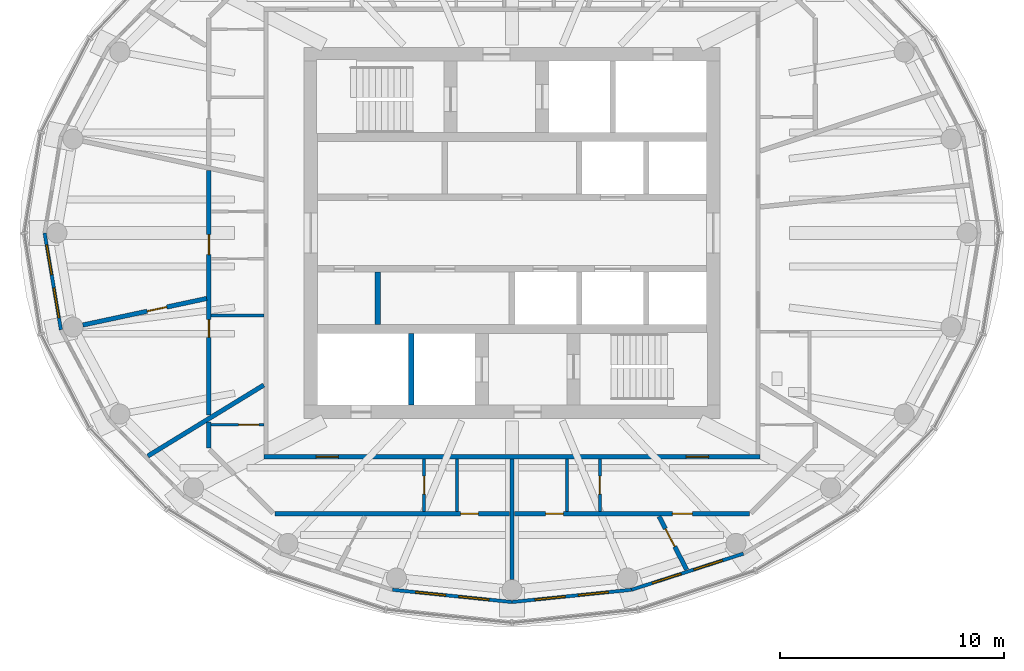
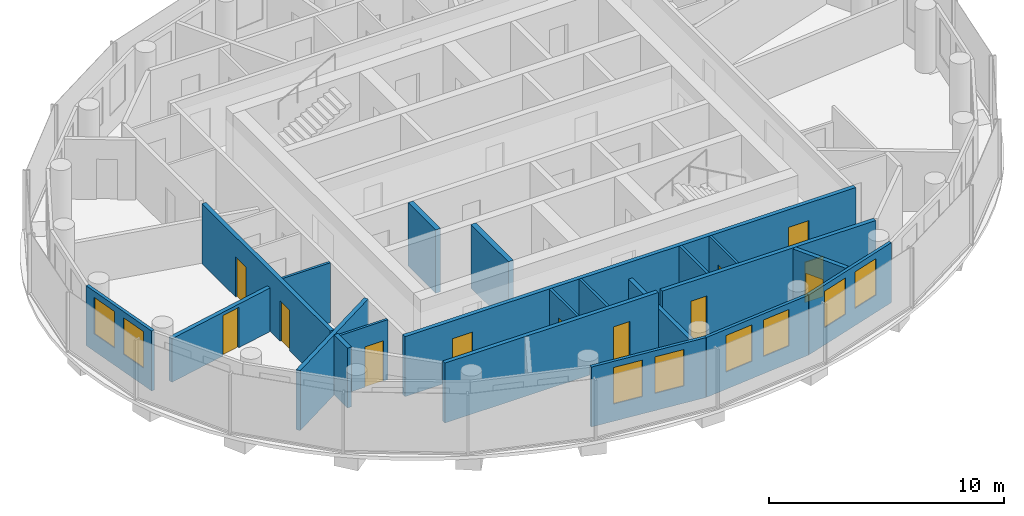
# One storey, part 5 of 11: 21 walls, 12 doors, 8 windows, 20 openings.
"""IFC4 building model written with IfcOpenShell, lengths in metres."""

from ifc_helpers import new_model, si_unit, direction, frame, frame_2d, origin, place, context, subcontext, project, spatial, rectangle, extrude, material, layer, layer_set, type_object, element, fill, save


model = new_model("IFC4")

# Units and contexts
model_context = context("Model", 3, precision=1e-05, world=origin(), true_north=direction((0.0, 1.0)))
body_context = subcontext(model_context, "Body", "Model", "MODEL_VIEW")
ifc_project = project(units=[si_unit("LENGTHUNIT", "METRE"), si_unit("AREAUNIT", "SQUARE_METRE"), si_unit("VOLUMEUNIT", "CUBIC_METRE"), si_unit("PLANEANGLEUNIT", "RADIAN"), si_unit("MASSUNIT", "GRAM", prefix="KILO")], contexts=[model_context])

# Site, building, storey
site_placement = place(None, origin())
site = spatial("IfcSite", under=ifc_project, at=site_placement, CompositionType="ELEMENT")
building_placement = place(site_placement, origin())
building = spatial("IfcBuilding", under=site, at=building_placement, Name="Hankou Lantern Tower", CompositionType="ELEMENT")
storey_placement = place(building_placement, frame((0.0, 0.0, 192.89990234375)))
storey = spatial("IfcBuildingStorey", under=building, at=storey_placement, Name="L51", CompositionType="ELEMENT", Elevation=192.89990234375)

# Wall, openings, windows
ifc_material_1 = material(Name="Aluminium spandrel panel on steel studs", Category="steel")
ifc_layer_1 = layer(ifc_material_1, 0.14990234375)
ifc_layer_set_1 = layer_set([ifc_layer_1], Name="Aluminium spandrel panel on steel studs")
wall_type_1 = type_object("IfcWallType", Name="EW1 INNER SKIN WALL 150", PredefinedType="ELEMENTEDWALL", material=ifc_layer_set_1)
wall_1_placement = place(storey_placement, frame((-20.89990234375, 0.0, 0.0), z_axis=(0.0, 0.0, 1.0), x_axis=(0.166538513568, -0.986034950445, 0.0)))
wall_1 = element("IfcWall", 1, at=wall_1_placement, inside=storey, type_object=wall_type_1, Name="Inner skin R13-R14 L51", PredefinedType="ELEMENTEDWALL", context=body_context, shape_type="SweptSolid", body=[
    extrude(rectangle(XDim=4.384765625, YDim=0.14990234375, at=frame_2d((2.1923828125, 0.0))), origin(), (0.0, 0.0, 1.0), 3.1201171875),
])
opening_1_placement = place(wall_1_placement, frame((0.54248046875, 0.0, 0.89990234375)))
opening_1 = element("IfcOpeningElement", 2, at=opening_1_placement, cuts=wall_1, Name="Opening W4", PredefinedType="OPENING", context=body_context, shape_type="SweptSolid", body=[
    extrude(rectangle(XDim=1.35009765625, YDim=1.89990234375, at=frame_2d((0.675048828125, 0.949951171875))), frame((0.0, 0.0849609375, 0.0), z_axis=(0.0, -1.0, 0.0), x_axis=(1.0, 0.0, 0.0)), (0.0, 0.0, 1.0), 0.169921875),
])
opening_2_placement = place(wall_1_placement, frame((2.492431640625, 0.0, 0.89990234375)))
opening_2 = element("IfcOpeningElement", 3, at=opening_2_placement, cuts=wall_1, Name="Opening W4", PredefinedType="OPENING", context=body_context, shape_type="SweptSolid", body=[
    extrude(rectangle(XDim=1.35009765625, YDim=1.89990234375, at=frame_2d((0.675048828125, 0.949951171875))), frame((0.0, 0.0849609375, 0.0), z_axis=(0.0, -1.0, 0.0), x_axis=(1.0, 0.0, 0.0)), (0.0, 0.0, 1.0), 0.169921875),
])
ifc_material_2 = material(Name="Aluminium framed double glazed window", Category="aluminium")
window_type = type_object("IfcWindowType", Name="W4 SUITE WINDOW 1350X1900", PartitioningType="DOUBLE_PANEL_VERTICAL", PredefinedType="WINDOW", material=ifc_material_2)
window_1_placement = place(opening_1_placement, origin())
window_1 = element("IfcWindow", 4, at=window_1_placement, inside=storey, type_object=window_type, Name="Window R13.1 L51", OverallHeight=1.89990234375, OverallWidth=1.35009765625, PartitioningType="SINGLE_PANEL", PredefinedType="WINDOW", context=body_context, shape_type="SweptSolid", body=[
    extrude(rectangle(XDim=1.35009765625, YDim=1.89990234375, at=frame_2d((0.675048828125, 0.949951171875))), frame((0.0, 0.030029296875, 0.0), z_axis=(0.0, -1.0, 0.0), x_axis=(1.0, 0.0, 0.0)), (0.0, 0.0, 1.0), 0.06005859375),
])
fill(opening_1, window_1)
window_2_placement = place(opening_2_placement, origin())
window_2 = element("IfcWindow", 5, at=window_2_placement, inside=storey, type_object=window_type, Name="Window R13.2 L51", OverallHeight=1.89990234375, OverallWidth=1.35009765625, PartitioningType="SINGLE_PANEL", PredefinedType="WINDOW", context=body_context, shape_type="SweptSolid", body=[
    extrude(rectangle(XDim=1.35009765625, YDim=1.89990234375, at=frame_2d((0.675048828125, 0.949951171875))), frame((0.0, 0.030029296875, 0.0), z_axis=(0.0, -1.0, 0.0), x_axis=(1.0, 0.0, 0.0)), (0.0, 0.0, 1.0), 0.06005859375),
])
fill(opening_2, window_2)

wall_2_placement = place(storey_placement, frame((-5.3427734375, -15.95166015625, 0.0), z_axis=(0.0, 0.0, 1.0), x_axis=(0.994774574972, -0.102095763818, 0.0)))
wall_2 = element("IfcWall", 6, at=wall_2_placement, inside=storey, type_object=wall_type_1, Name="Inner skin R18-R19 L51", PredefinedType="ELEMENTEDWALL", context=body_context, shape_type="SweptSolid", body=[
    extrude(rectangle(XDim=5.370849609375, YDim=0.14990234375, at=frame_2d((2.685546875, 0.0))), origin(), (0.0, 0.0, 1.0), 3.1201171875),
])
opening_3_placement = place(wall_2_placement, frame((1.035400390625, 0.0, 0.89990234375)))
opening_3 = element("IfcOpeningElement", 7, at=opening_3_placement, cuts=wall_2, Name="Opening W4", PredefinedType="OPENING", context=body_context, shape_type="SweptSolid", body=[
    extrude(rectangle(XDim=1.35009765625, YDim=1.89990234375, at=frame_2d((0.675048828125, 0.949951171875))), frame((0.0, 0.0849609375, 0.0), z_axis=(0.0, -1.0, 0.0), x_axis=(1.0, 0.0, 0.0)), (0.0, 0.0, 1.0), 0.169921875),
])
opening_4_placement = place(wall_2_placement, frame((2.9853515625, 0.0, 0.89990234375)))
opening_4 = element("IfcOpeningElement", 8, at=opening_4_placement, cuts=wall_2, Name="Opening W4", PredefinedType="OPENING", context=body_context, shape_type="SweptSolid", body=[
    extrude(rectangle(XDim=1.35009765625, YDim=1.89990234375, at=frame_2d((0.675048828125, 0.949951171875))), frame((0.0, 0.0849609375, 0.0), z_axis=(0.0, -1.0, 0.0), x_axis=(1.0, 0.0, 0.0)), (0.0, 0.0, 1.0), 0.169921875),
])
window_3_placement = place(opening_3_placement, origin())
window_3 = element("IfcWindow", 9, at=window_3_placement, inside=storey, type_object=window_type, Name="Window R18.1 L51", OverallHeight=1.89990234375, OverallWidth=1.35009765625, PartitioningType="SINGLE_PANEL", PredefinedType="WINDOW", context=body_context, shape_type="SweptSolid", body=[
    extrude(rectangle(XDim=1.35009765625, YDim=1.89990234375, at=frame_2d((0.675048828125, 0.949951171875))), frame((0.0, 0.030029296875, 0.0), z_axis=(0.0, -1.0, 0.0), x_axis=(1.0, 0.0, 0.0)), (0.0, 0.0, 1.0), 0.06005859375),
])
fill(opening_3, window_3)
window_4_placement = place(opening_4_placement, origin())
window_4 = element("IfcWindow", 10, at=window_4_placement, inside=storey, type_object=window_type, Name="Window R18.2 L51", OverallHeight=1.89990234375, OverallWidth=1.35009765625, PartitioningType="SINGLE_PANEL", PredefinedType="WINDOW", context=body_context, shape_type="SweptSolid", body=[
    extrude(rectangle(XDim=1.35009765625, YDim=1.89990234375, at=frame_2d((0.675048828125, 0.949951171875))), frame((0.0, 0.030029296875, 0.0), z_axis=(0.0, -1.0, 0.0), x_axis=(1.0, 0.0, 0.0)), (0.0, 0.0, 1.0), 0.06005859375),
])
fill(opening_4, window_4)

wall_3_placement = place(storey_placement, frame((0.0, -16.5, 0.0), z_axis=(0.0, 0.0, 1.0), x_axis=(0.994774574972, 0.102095763818, 0.0)))
wall_3 = element("IfcWall", 11, at=wall_3_placement, inside=storey, type_object=wall_type_1, Name="Inner skin R19-R20 L51", PredefinedType="ELEMENTEDWALL", context=body_context, shape_type="SweptSolid", body=[
    extrude(rectangle(XDim=5.370849609375, YDim=0.14990234375, at=frame_2d((2.685546875, 0.0))), origin(), (0.0, 0.0, 1.0), 3.1201171875),
])
opening_5_placement = place(wall_3_placement, frame((1.035400390625, 0.0, 0.89990234375)))
opening_5 = element("IfcOpeningElement", 12, at=opening_5_placement, cuts=wall_3, Name="Opening W4", PredefinedType="OPENING", context=body_context, shape_type="SweptSolid", body=[
    extrude(rectangle(XDim=1.35009765625, YDim=1.89990234375, at=frame_2d((0.675048828125, 0.949951171875))), frame((0.0, 0.0849609375, 0.0), z_axis=(0.0, -1.0, 0.0), x_axis=(1.0, 0.0, 0.0)), (0.0, 0.0, 1.0), 0.169921875),
])
opening_6_placement = place(wall_3_placement, frame((2.9853515625, 0.0, 0.89990234375)))
opening_6 = element("IfcOpeningElement", 13, at=opening_6_placement, cuts=wall_3, Name="Opening W4", PredefinedType="OPENING", context=body_context, shape_type="SweptSolid", body=[
    extrude(rectangle(XDim=1.35009765625, YDim=1.89990234375, at=frame_2d((0.675048828125, 0.949951171875))), frame((0.0, 0.0849609375, 0.0), z_axis=(0.0, -1.0, 0.0), x_axis=(1.0, 0.0, 0.0)), (0.0, 0.0, 1.0), 0.169921875),
])
window_5_placement = place(opening_5_placement, origin())
window_5 = element("IfcWindow", 14, at=window_5_placement, inside=storey, type_object=window_type, Name="Window R19.1 L51", OverallHeight=1.89990234375, OverallWidth=1.35009765625, PartitioningType="SINGLE_PANEL", PredefinedType="WINDOW", context=body_context, shape_type="SweptSolid", body=[
    extrude(rectangle(XDim=1.35009765625, YDim=1.89990234375, at=frame_2d((0.675048828125, 0.949951171875))), frame((0.0, 0.030029296875, 0.0), z_axis=(0.0, -1.0, 0.0), x_axis=(1.0, 0.0, 0.0)), (0.0, 0.0, 1.0), 0.06005859375),
])
fill(opening_5, window_5)
window_6_placement = place(opening_6_placement, origin())
window_6 = element("IfcWindow", 15, at=window_6_placement, inside=storey, type_object=window_type, Name="Window R19.2 L51", OverallHeight=1.89990234375, OverallWidth=1.35009765625, PartitioningType="SINGLE_PANEL", PredefinedType="WINDOW", context=body_context, shape_type="SweptSolid", body=[
    extrude(rectangle(XDim=1.35009765625, YDim=1.89990234375, at=frame_2d((0.675048828125, 0.949951171875))), frame((0.0, 0.030029296875, 0.0), z_axis=(0.0, -1.0, 0.0), x_axis=(1.0, 0.0, 0.0)), (0.0, 0.0, 1.0), 0.06005859375),
])
fill(opening_6, window_6)

wall_4_placement = place(storey_placement, frame((5.3427734375, -15.95166015625, 0.0), z_axis=(0.0, 0.0, 1.0), x_axis=(0.951644702515, 0.307200846638, 0.0)))
wall_4 = element("IfcWall", 16, at=wall_4_placement, inside=storey, type_object=wall_type_1, Name="Inner skin R20-R21 L51", PredefinedType="ELEMENTEDWALL", context=body_context, shape_type="SweptSolid", body=[
    extrude(rectangle(XDim=5.2578125, YDim=0.14990234375, at=frame_2d((2.62890625, 0.0))), origin(), (0.0, 0.0, 1.0), 3.1201171875),
])
opening_7_placement = place(wall_4_placement, frame((0.97900390625, 0.0, 0.89990234375)))
opening_7 = element("IfcOpeningElement", 17, at=opening_7_placement, cuts=wall_4, Name="Opening W4", PredefinedType="OPENING", context=body_context, shape_type="SweptSolid", body=[
    extrude(rectangle(XDim=1.35009765625, YDim=1.89990234375, at=frame_2d((0.675048828125, 0.949951171875))), frame((0.0, 0.0849609375, 0.0), z_axis=(0.0, -1.0, 0.0), x_axis=(1.0, 0.0, 0.0)), (0.0, 0.0, 1.0), 0.169921875),
])
opening_8_placement = place(wall_4_placement, frame((2.928955078125, 0.0, 0.89990234375)))
opening_8 = element("IfcOpeningElement", 18, at=opening_8_placement, cuts=wall_4, Name="Opening W4", PredefinedType="OPENING", context=body_context, shape_type="SweptSolid", body=[
    extrude(rectangle(XDim=1.35009765625, YDim=1.89990234375, at=frame_2d((0.675048828125, 0.949951171875))), frame((0.0, 0.0849609375, 0.0), z_axis=(0.0, -1.0, 0.0), x_axis=(1.0, 0.0, 0.0)), (0.0, 0.0, 1.0), 0.169921875),
])
window_7_placement = place(opening_7_placement, origin())
window_7 = element("IfcWindow", 19, at=window_7_placement, inside=storey, type_object=window_type, Name="Window R20.1 L51", OverallHeight=1.89990234375, OverallWidth=1.35009765625, PartitioningType="SINGLE_PANEL", PredefinedType="WINDOW", context=body_context, shape_type="SweptSolid", body=[
    extrude(rectangle(XDim=1.35009765625, YDim=1.89990234375, at=frame_2d((0.675048828125, 0.949951171875))), frame((0.0, 0.030029296875, 0.0), z_axis=(0.0, -1.0, 0.0), x_axis=(1.0, 0.0, 0.0)), (0.0, 0.0, 1.0), 0.06005859375),
])
fill(opening_7, window_7)
window_8_placement = place(opening_8_placement, origin())
window_8 = element("IfcWindow", 20, at=window_8_placement, inside=storey, type_object=window_type, Name="Window R20.2 L51", OverallHeight=1.89990234375, OverallWidth=1.35009765625, PartitioningType="SINGLE_PANEL", PredefinedType="WINDOW", context=body_context, shape_type="SweptSolid", body=[
    extrude(rectangle(XDim=1.35009765625, YDim=1.89990234375, at=frame_2d((0.675048828125, 0.949951171875))), frame((0.0, 0.030029296875, 0.0), z_axis=(0.0, -1.0, 0.0), x_axis=(1.0, 0.0, 0.0)), (0.0, 0.0, 1.0), 0.06005859375),
])
fill(opening_8, window_8)

# Walls
ifc_material_3 = material(Name="Masonry lightweight concrete block", Category="masonry")
ifc_layer_2 = layer(ifc_material_3, 0.199951171875)
ifc_layer_set_2 = layer_set([ifc_layer_2], Name="Masonry lightweight concrete block")
wall_type_2 = type_object("IfcWallType", Name="IW1 GUEST ROOM PARTY WALL 200", PredefinedType="PARTITIONING", material=ifc_layer_set_2)
wall_5_placement = place(storey_placement, frame((-11.10009765625, -6.79736328125, 0.0), z_axis=(0.0, 0.0, 1.0), x_axis=(-0.852799818179, -0.522237943963, 0.0)))
element("IfcWall", 21, at=wall_5_placement, inside=storey, type_object=wall_type_2, Name="Party wall R15-R16", PredefinedType="PARTITIONING", context=body_context, shape_type="SweptSolid", body=[
    extrude(rectangle(XDim=6.076904296875, YDim=0.199951171875, at=frame_2d((3.03857421875, 0.0))), origin(), (0.0, 0.0, 1.0), 3.1201171875),
])
wall_6_placement = place(storey_placement, frame((0.0, -10.10009765625, 0.0), z_axis=(0.0, 0.0, 1.0), x_axis=(0.0, -1.0, 0.0)))
element("IfcWall", 22, at=wall_6_placement, inside=storey, type_object=wall_type_2, Name="Party wall R19", PredefinedType="PARTITIONING", context=body_context, shape_type="SweptSolid", body=[
    extrude(rectangle(XDim=5.39990234375, YDim=0.199951171875, at=frame_2d((2.699951171875, 0.0))), origin(), (0.0, 0.0, 1.0), 2.27001953125),
])

# Wall, openings, doors
ifc_material_4 = material(Name="Masonry lightweight concrete block", Category="masonry")
ifc_layer_3 = layer(ifc_material_4, 0.199951171875)
ifc_layer_set_3 = layer_set([ifc_layer_3], Name="Masonry lightweight concrete block")
wall_type_3 = type_object("IfcWallType", Name="IW2 CORRIDOR WALL 200", PredefinedType="PARTITIONING", material=ifc_layer_set_3)
wall_7_placement = place(storey_placement, frame((11.10009765625, -10.0, 0.0), z_axis=(0.0, 0.0, 1.0), x_axis=(-1.0, 0.0, 0.0)))
wall_7 = element("IfcWall", 23, at=wall_7_placement, inside=storey, type_object=wall_type_3, Name="Corridor wall south", PredefinedType="PARTITIONING", context=body_context, shape_type="SweptSolid", body=[
    extrude(rectangle(XDim=22.2001953125, YDim=0.199951171875, at=frame_2d((11.10009765625, 0.0))), origin(), (0.0, 0.0, 1.0), 3.1201171875),
])
opening_9_placement = place(wall_7_placement, frame((18.8642578125, 0.0, 0.0)))
opening_9 = element("IfcOpeningElement", 24, at=opening_9_placement, cuts=wall_7, Name="Opening D2", PredefinedType="OPENING", context=body_context, shape_type="SweptSolid", body=[
    extrude(rectangle(XDim=1.0, YDim=2.199951171875, at=frame_2d((0.5, 1.10009765625))), frame((0.0, 0.10986328125, 0.0), z_axis=(0.0, -1.0, 0.0), x_axis=(1.0, 0.0, 0.0)), (0.0, 0.0, 1.0), 0.219970703125),
])
opening_10_placement = place(wall_7_placement, frame((2.30908203125, 0.0, 0.0)))
opening_10 = element("IfcOpeningElement", 25, at=opening_10_placement, cuts=wall_7, Name="Opening D2", PredefinedType="OPENING", context=body_context, shape_type="SweptSolid", body=[
    extrude(rectangle(XDim=1.0, YDim=2.199951171875, at=frame_2d((0.5, 1.10009765625))), frame((0.0, 0.10986328125, 0.0), z_axis=(0.0, -1.0, 0.0), x_axis=(1.0, 0.0, 0.0)), (0.0, 0.0, 1.0), 0.219970703125),
])
ifc_material_5 = material(Name="Steel door leaf", Category="steel")
door_type_1 = type_object("IfcDoorType", Name="D2 SUITE DOOR 1000X2200", OperationType="SINGLE_SWING_LEFT", PredefinedType="DOOR", material=ifc_material_5)
door_1_placement = place(opening_9_placement, origin())
door_1 = element("IfcDoor", 26, at=door_1_placement, inside=storey, type_object=door_type_1, Name="Suite door 5106", OperationType="SINGLE_SWING_LEFT", OverallHeight=2.199951171875, OverallWidth=1.0, PredefinedType="DOOR", context=body_context, shape_type="SweptSolid", body=[
    extrude(rectangle(XDim=1.0, YDim=2.199951171875, at=frame_2d((0.5, 1.10009765625))), frame((0.0, 0.02490234375, 0.0), z_axis=(0.0, -1.0, 0.0), x_axis=(1.0, 0.0, 0.0)), (0.0, 0.0, 1.0), 0.050048828125),
])
fill(opening_9, door_1)
door_2_placement = place(opening_10_placement, origin())
door_2 = element("IfcDoor", 27, at=door_2_placement, inside=storey, type_object=door_type_1, Name="Suite door 5107", OperationType="SINGLE_SWING_RIGHT", OverallHeight=2.199951171875, OverallWidth=1.0, PredefinedType="DOOR", context=body_context, shape_type="SweptSolid", body=[
    extrude(rectangle(XDim=1.0, YDim=2.199951171875, at=frame_2d((0.5, 1.10009765625))), frame((0.0, 0.02490234375, 0.0), z_axis=(0.0, -1.0, 0.0), x_axis=(1.0, 0.0, 0.0)), (0.0, 0.0, 1.0), 0.050048828125),
])
fill(opening_10, door_2)

# Wall
ifc_material_6 = material(Name="Masonry lightweight concrete block", Category="masonry")
ifc_layer_4 = layer(ifc_material_6, 0.1201171875)
ifc_layer_set_4 = layer_set([ifc_layer_4], Name="Masonry lightweight concrete block")
wall_type_4 = type_object("IfcWallType", Name="IW3 BATHROOM WALL 120", PredefinedType="PARTITIONING", material=ifc_layer_set_4)
wall_8_placement = place(storey_placement, frame((-11.10009765625, -3.684326171875, 0.0), z_axis=(0.0, 0.0, 1.0), x_axis=(-1.0, 0.0, 0.0)))
element("IfcWall", 28, at=wall_8_placement, inside=storey, type_object=wall_type_4, Name="Box wall 5105 3", PredefinedType="PARTITIONING", context=body_context, shape_type="SweptSolid", body=[
    extrude(rectangle(XDim=2.349853515625, YDim=0.1201171875, at=frame_2d((1.1748046875, 0.0))), origin(), (0.0, 0.0, 1.0), 3.1201171875),
])

# Wall, opening, door
wall_9_placement = place(storey_placement, frame((-11.10009765625, -8.57568359375, 0.0), z_axis=(0.0, 0.0, 1.0), x_axis=(-1.0, 0.0, 0.0)))
wall_9 = element("IfcWall", 29, at=wall_9_placement, inside=storey, type_object=wall_type_4, Name="Box wall 5106 1", PredefinedType="PARTITIONING", context=body_context, shape_type="SweptSolid", body=[
    extrude(rectangle(XDim=2.349853515625, YDim=0.1201171875, at=frame_2d((1.1748046875, 0.0))), origin(), (0.0, 0.0, 1.0), 3.1201171875),
])
opening_11_placement = place(wall_9_placement, frame((0.219970703125, 0.0, 0.0)))
opening_11 = element("IfcOpeningElement", 30, at=opening_11_placement, cuts=wall_9, Name="Opening D27", PredefinedType="OPENING", context=body_context, shape_type="SweptSolid", body=[
    extrude(rectangle(XDim=0.89990234375, YDim=2.10009765625, at=frame_2d((0.449951171875, 1.050048828125))), frame((0.0, 0.070068359375, 0.0), z_axis=(0.0, -1.0, 0.0), x_axis=(1.0, 0.0, 0.0)), (0.0, 0.0, 1.0), 0.14013671875),
])
ifc_material_7 = material(Name="Timber door leaf", Category="wood")
door_type_2 = type_object("IfcDoorType", Name="D27 INTERNAL DOOR 900X2100", OperationType="SINGLE_SWING_LEFT", PredefinedType="DOOR", material=ifc_material_7)
door_3_placement = place(opening_11_placement, origin())
door_3 = element("IfcDoor", 31, at=door_3_placement, inside=storey, type_object=door_type_2, Name="Suite 5106 walk-in wardrobe door", OperationType="SINGLE_SWING_LEFT", OverallHeight=2.10009765625, OverallWidth=0.89990234375, PredefinedType="DOOR", context=body_context, shape_type="SweptSolid", body=[
    extrude(rectangle(XDim=0.89990234375, YDim=2.10009765625, at=frame_2d((0.449951171875, 1.050048828125))), frame((0.0, 0.02490234375, 0.0), z_axis=(0.0, -1.0, 0.0), x_axis=(1.0, 0.0, 0.0)), (0.0, 0.0, 1.0), 0.050048828125),
])
fill(opening_11, door_3)

wall_10_placement = place(storey_placement, frame((-3.930908203125, -10.10009765625, 0.0), z_axis=(0.0, 0.0, 1.0), x_axis=(0.0, -1.0, 0.0)))
wall_10 = element("IfcWall", 32, at=wall_10_placement, inside=storey, type_object=wall_type_4, Name="Box wall 5106 2", PredefinedType="PARTITIONING", context=body_context, shape_type="SweptSolid", body=[
    extrude(rectangle(XDim=2.349853515625, YDim=0.1201171875, at=frame_2d((1.1748046875, 0.0))), origin(), (0.0, 0.0, 1.0), 3.1201171875),
])
opening_12_placement = place(wall_10_placement, frame((0.77001953125, 0.0, 0.0)))
opening_12 = element("IfcOpeningElement", 33, at=opening_12_placement, cuts=wall_10, Name="Opening D3", PredefinedType="OPENING", context=body_context, shape_type="SweptSolid", body=[
    extrude(rectangle(XDim=0.800048828125, YDim=2.10009765625, at=frame_2d((0.39990234375, 1.050048828125))), frame((0.0, 0.070068359375, 0.0), z_axis=(0.0, -1.0, 0.0), x_axis=(1.0, 0.0, 0.0)), (0.0, 0.0, 1.0), 0.14013671875),
])
ifc_material_8 = material(Name="Timber door leaf", Category="wood")
door_type_3 = type_object("IfcDoorType", Name="D3 BATHROOM DOOR 800X2100", OperationType="SINGLE_SWING_LEFT", PredefinedType="DOOR", material=ifc_material_8)
door_4_placement = place(opening_12_placement, origin())
door_4 = element("IfcDoor", 34, at=door_4_placement, inside=storey, type_object=door_type_3, Name="Suite 5106 guest WC door", OperationType="SINGLE_SWING_LEFT", OverallHeight=2.10009765625, OverallWidth=0.800048828125, PredefinedType="DOOR", context=body_context, shape_type="SweptSolid", body=[
    extrude(rectangle(XDim=0.800048828125, YDim=2.10009765625, at=frame_2d((0.39990234375, 1.050048828125))), frame((0.0, 0.02490234375, 0.0), z_axis=(0.0, -1.0, 0.0), x_axis=(1.0, 0.0, 0.0)), (0.0, 0.0, 1.0), 0.050048828125),
])
fill(opening_12, door_4)

# Walls
for number, where, z_axis, x_axis, name in (
    (35, (-2.4609375, -10.10009765625, 0.0), (0.0, 0.0, 1.0), (0.0, -1.0, 0.0), "Box wall 5106 3"),
    (36, (2.4609375, -10.10009765625, 0.0), (0.0, 0.0, 1.0), (0.0, -1.0, 0.0), "Box wall 5107 1"),
):
    element("IfcWall", number, at=place(storey_placement, frame(where, z_axis=z_axis, x_axis=x_axis)), inside=storey, type_object=wall_type_4, Name=name, PredefinedType="PARTITIONING", context=body_context, shape_type="SweptSolid", body=[
        extrude(rectangle(XDim=2.349853515625, YDim=0.1201171875, at=frame_2d((1.1748046875, 0.0))), origin(), (0.0, 0.0, 1.0), 3.1201171875),
    ])

# Wall, opening, door
wall_11_placement = place(storey_placement, frame((3.930908203125, -10.10009765625, 0.0), z_axis=(0.0, 0.0, 1.0), x_axis=(0.0, -1.0, 0.0)))
wall_11 = element("IfcWall", 37, at=wall_11_placement, inside=storey, type_object=wall_type_4, Name="Box wall 5107 2", PredefinedType="PARTITIONING", context=body_context, shape_type="SweptSolid", body=[
    extrude(rectangle(XDim=2.349853515625, YDim=0.1201171875, at=frame_2d((1.1748046875, 0.0))), origin(), (0.0, 0.0, 1.0), 3.1201171875),
])
opening_13_placement = place(wall_11_placement, frame((0.77001953125, 0.0, 0.0)))
opening_13 = element("IfcOpeningElement", 38, at=opening_13_placement, cuts=wall_11, Name="Opening D3", PredefinedType="OPENING", context=body_context, shape_type="SweptSolid", body=[
    extrude(rectangle(XDim=0.800048828125, YDim=2.10009765625, at=frame_2d((0.39990234375, 1.050048828125))), frame((0.0, 0.070068359375, 0.0), z_axis=(0.0, -1.0, 0.0), x_axis=(1.0, 0.0, 0.0)), (0.0, 0.0, 1.0), 0.14013671875),
])
door_5_placement = place(opening_13_placement, origin())
door_5 = element("IfcDoor", 39, at=door_5_placement, inside=storey, type_object=door_type_3, Name="Suite 5107 guest WC door", OperationType="SINGLE_SWING_LEFT", OverallHeight=2.10009765625, OverallWidth=0.800048828125, PredefinedType="DOOR", context=body_context, shape_type="SweptSolid", body=[
    extrude(rectangle(XDim=0.800048828125, YDim=2.10009765625, at=frame_2d((0.39990234375, 1.050048828125))), frame((0.0, 0.02490234375, 0.0), z_axis=(0.0, -1.0, 0.0), x_axis=(1.0, 0.0, 0.0)), (0.0, 0.0, 1.0), 0.050048828125),
])
fill(opening_13, door_5)

# Wall, openings, doors
ifc_material_9 = material(Name="Masonry lightweight concrete block", Category="masonry")
ifc_layer_5 = layer(ifc_material_9, 0.199951171875)
ifc_layer_set_5 = layer_set([ifc_layer_5], Name="Masonry lightweight concrete block")
wall_type_5 = type_object("IfcWallType", Name="IW6 SUITE PARTITION 200", PredefinedType="PARTITIONING", material=ifc_layer_set_5)
wall_12_placement = place(storey_placement, frame((-13.550048828125, 2.80126953125, 0.0), z_axis=(0.0, 0.0, 1.0), x_axis=(0.0, -1.0, 0.0)))
wall_12 = element("IfcWall", 40, at=wall_12_placement, inside=storey, type_object=wall_type_5, Name="Suite foyer wall 5105", PredefinedType="PARTITIONING", context=body_context, shape_type="SweptSolid", body=[
    extrude(rectangle(XDim=10.9404296875, YDim=0.199951171875, at=frame_2d((5.47021484375, 0.0))), origin(), (0.0, 0.0, 1.0), 3.1201171875),
])
opening_14_placement = place(wall_12_placement, frame((6.67041015625, 0.0, 0.0)))
opening_14 = element("IfcOpeningElement", 41, at=opening_14_placement, cuts=wall_12, Name="Opening D3", PredefinedType="OPENING", context=body_context, shape_type="SweptSolid", body=[
    extrude(rectangle(XDim=0.800048828125, YDim=2.10009765625, at=frame_2d((0.39990234375, 1.050048828125))), frame((0.0, 0.10986328125, 0.0), z_axis=(0.0, -1.0, 0.0), x_axis=(1.0, 0.0, 0.0)), (0.0, 0.0, 1.0), 0.219970703125),
])
opening_15_placement = place(wall_12_placement, frame((2.87158203125, 0.0, 0.0)))
opening_15 = element("IfcOpeningElement", 42, at=opening_15_placement, cuts=wall_12, Name="Opening D27", PredefinedType="OPENING", context=body_context, shape_type="SweptSolid", body=[
    extrude(rectangle(XDim=0.89990234375, YDim=2.10009765625, at=frame_2d((0.449951171875, 1.050048828125))), frame((0.0, 0.10986328125, 0.0), z_axis=(0.0, -1.0, 0.0), x_axis=(1.0, 0.0, 0.0)), (0.0, 0.0, 1.0), 0.219970703125),
])
door_6_placement = place(opening_15_placement, origin())
door_6 = element("IfcDoor", 43, at=door_6_placement, inside=storey, type_object=door_type_2, Name="Suite 5105 living room door", OperationType="SINGLE_SWING_RIGHT", OverallHeight=2.10009765625, OverallWidth=0.89990234375, PredefinedType="DOOR", context=body_context, shape_type="SweptSolid", body=[
    extrude(rectangle(XDim=0.89990234375, YDim=2.10009765625, at=frame_2d((0.449951171875, 1.050048828125))), frame((0.0, 0.02490234375, 0.0), z_axis=(0.0, -1.0, 0.0), x_axis=(1.0, 0.0, 0.0)), (0.0, 0.0, 1.0), 0.050048828125),
])
fill(opening_15, door_6)
door_7_placement = place(opening_14_placement, origin())
door_7 = element("IfcDoor", 44, at=door_7_placement, inside=storey, type_object=door_type_3, Name="Suite 5105 bathroom door", OperationType="SINGLE_SWING_LEFT", OverallHeight=2.10009765625, OverallWidth=0.800048828125, PredefinedType="DOOR", context=body_context, shape_type="SweptSolid", body=[
    extrude(rectangle(XDim=0.800048828125, YDim=2.10009765625, at=frame_2d((0.39990234375, 1.050048828125))), frame((0.0, 0.02490234375, 0.0), z_axis=(0.0, -1.0, 0.0), x_axis=(1.0, 0.0, 0.0)), (0.0, 0.0, 1.0), 0.050048828125),
])
fill(opening_14, door_7)

# Wall, opening, door
wall_13_placement = place(storey_placement, frame((-13.65478515625, -2.927001953125, 0.0), z_axis=(0.0, 0.0, 1.0), x_axis=(-0.977790419294, -0.209585056568, 0.0)))
wall_13 = element("IfcWall", 45, at=wall_13_placement, inside=storey, type_object=wall_type_5, Name="Suite partition R14", PredefinedType="PARTITIONING", context=body_context, shape_type="SweptSolid", body=[
    extrude(rectangle(XDim=5.66015625, YDim=0.199951171875, at=frame_2d((2.830078125, 0.0))), origin(), (0.0, 0.0, 1.0), 2.27001953125),
])
opening_16_placement = place(wall_13_placement, frame((1.820068359375, 0.0, 0.0)))
opening_16 = element("IfcOpeningElement", 46, at=opening_16_placement, cuts=wall_13, Name="Opening D27", PredefinedType="OPENING", context=body_context, shape_type="SweptSolid", body=[
    extrude(rectangle(XDim=0.89990234375, YDim=2.10009765625, at=frame_2d((0.449951171875, 1.050048828125))), frame((0.0, 0.10986328125, 0.0), z_axis=(0.0, -1.0, 0.0), x_axis=(1.0, 0.0, 0.0)), (0.0, 0.0, 1.0), 0.219970703125),
])
door_8_placement = place(opening_16_placement, origin())
door_8 = element("IfcDoor", 47, at=door_8_placement, inside=storey, type_object=door_type_2, Name="Suite 5105 bedroom door", OperationType="SINGLE_SWING_LEFT", OverallHeight=2.10009765625, OverallWidth=0.89990234375, PredefinedType="DOOR", context=body_context, shape_type="SweptSolid", body=[
    extrude(rectangle(XDim=0.89990234375, YDim=2.10009765625, at=frame_2d((0.449951171875, 1.050048828125))), frame((0.0, 0.02490234375, 0.0), z_axis=(0.0, -1.0, 0.0), x_axis=(1.0, 0.0, 0.0)), (0.0, 0.0, 1.0), 0.050048828125),
])
fill(opening_16, door_8)

# Wall
wall_14_placement = place(storey_placement, frame((-13.550048828125, -8.4560546875, 0.0), z_axis=(0.0, 0.0, 1.0), x_axis=(0.0, -1.0, 0.0)))
element("IfcWall", 48, at=wall_14_placement, inside=storey, type_object=wall_type_5, Name="Suite foyer wall 5106", PredefinedType="PARTITIONING", context=body_context, shape_type="SweptSolid", body=[
    extrude(rectangle(XDim=1.152587890625, YDim=0.199951171875, at=frame_2d((0.576171875, 0.0))), origin(), (0.0, 0.0, 1.0), 3.1201171875),
])

# Wall, opening, door
wall_15_placement = place(storey_placement, frame((-10.608642578125, -12.550048828125, 0.0), z_axis=(0.0, 0.0, 1.0), x_axis=(1.0, 0.0, 0.0)))
wall_15 = element("IfcWall", 49, at=wall_15_placement, inside=storey, type_object=wall_type_5, Name="Suite foyer wall 5106", PredefinedType="PARTITIONING", context=body_context, shape_type="SweptSolid", body=[
    extrude(rectangle(XDim=10.507568359375, YDim=0.199951171875, at=frame_2d((5.25390625, 0.0))), origin(), (0.0, 0.0, 1.0), 3.1201171875),
])
opening_17_placement = place(wall_15_placement, frame((8.3076171875, 0.0, 0.0)))
opening_17 = element("IfcOpeningElement", 50, at=opening_17_placement, cuts=wall_15, Name="Opening D3", PredefinedType="OPENING", context=body_context, shape_type="SweptSolid", body=[
    extrude(rectangle(XDim=0.800048828125, YDim=2.10009765625, at=frame_2d((0.39990234375, 1.050048828125))), frame((0.0, 0.10986328125, 0.0), z_axis=(0.0, -1.0, 0.0), x_axis=(1.0, 0.0, 0.0)), (0.0, 0.0, 1.0), 0.219970703125),
])
door_9_placement = place(opening_17_placement, origin())
door_9 = element("IfcDoor", 51, at=door_9_placement, inside=storey, type_object=door_type_3, Name="Suite 5106 bathroom door", OperationType="SINGLE_SWING_LEFT", OverallHeight=2.10009765625, OverallWidth=0.800048828125, PredefinedType="DOOR", context=body_context, shape_type="SweptSolid", body=[
    extrude(rectangle(XDim=0.800048828125, YDim=2.10009765625, at=frame_2d((0.39990234375, 1.050048828125))), frame((0.0, 0.02490234375, 0.0), z_axis=(0.0, -1.0, 0.0), x_axis=(1.0, 0.0, 0.0)), (0.0, 0.0, 1.0), 0.050048828125),
])
fill(opening_17, door_9)

# Wall, openings, doors
wall_16_placement = place(storey_placement, frame((0.10107421875, -12.550048828125, 0.0), z_axis=(0.0, 0.0, 1.0), x_axis=(1.0, 0.0, 0.0)))
wall_16 = element("IfcWall", 52, at=wall_16_placement, inside=storey, type_object=wall_type_5, Name="Suite foyer wall 5107", PredefinedType="PARTITIONING", context=body_context, shape_type="SweptSolid", body=[
    extrude(rectangle(XDim=10.507568359375, YDim=0.199951171875, at=frame_2d((5.25390625, 0.0))), origin(), (0.0, 0.0, 1.0), 3.1201171875),
])
opening_18_placement = place(wall_16_placement, frame((1.39990234375, 0.0, 0.0)))
opening_18 = element("IfcOpeningElement", 53, at=opening_18_placement, cuts=wall_16, Name="Opening D3", PredefinedType="OPENING", context=body_context, shape_type="SweptSolid", body=[
    extrude(rectangle(XDim=0.800048828125, YDim=2.10009765625, at=frame_2d((0.39990234375, 1.050048828125))), frame((0.0, 0.10986328125, 0.0), z_axis=(0.0, -1.0, 0.0), x_axis=(1.0, 0.0, 0.0)), (0.0, 0.0, 1.0), 0.219970703125),
])
opening_19_placement = place(wall_16_placement, frame((7.070068359375, 0.0, 0.0)))
opening_19 = element("IfcOpeningElement", 54, at=opening_19_placement, cuts=wall_16, Name="Opening D27", PredefinedType="OPENING", context=body_context, shape_type="SweptSolid", body=[
    extrude(rectangle(XDim=0.89990234375, YDim=2.10009765625, at=frame_2d((0.449951171875, 1.050048828125))), frame((0.0, 0.10986328125, 0.0), z_axis=(0.0, -1.0, 0.0), x_axis=(1.0, 0.0, 0.0)), (0.0, 0.0, 1.0), 0.219970703125),
])
door_10_placement = place(opening_19_placement, origin())
door_10 = element("IfcDoor", 55, at=door_10_placement, inside=storey, type_object=door_type_2, Name="Suite 5107 living room door", OperationType="SINGLE_SWING_LEFT", OverallHeight=2.10009765625, OverallWidth=0.89990234375, PredefinedType="DOOR", context=body_context, shape_type="SweptSolid", body=[
    extrude(rectangle(XDim=0.89990234375, YDim=2.10009765625, at=frame_2d((0.449951171875, 1.050048828125))), frame((0.0, 0.02490234375, 0.0), z_axis=(0.0, -1.0, 0.0), x_axis=(1.0, 0.0, 0.0)), (0.0, 0.0, 1.0), 0.050048828125),
])
fill(opening_19, door_10)
door_11_placement = place(opening_18_placement, origin())
door_11 = element("IfcDoor", 56, at=door_11_placement, inside=storey, type_object=door_type_3, Name="Suite 5107 bathroom door", OperationType="SINGLE_SWING_RIGHT", OverallHeight=2.10009765625, OverallWidth=0.800048828125, PredefinedType="DOOR", context=body_context, shape_type="SweptSolid", body=[
    extrude(rectangle(XDim=0.800048828125, YDim=2.10009765625, at=frame_2d((0.39990234375, 1.050048828125))), frame((0.0, 0.02490234375, 0.0), z_axis=(0.0, -1.0, 0.0), x_axis=(1.0, 0.0, 0.0)), (0.0, 0.0, 1.0), 0.050048828125),
])
fill(opening_18, door_11)

# Wall, opening, door
wall_17_placement = place(storey_placement, frame((6.578125, -12.676513671875, 0.0), z_axis=(0.0, 0.0, 1.0), x_axis=(0.460620531465, -0.887597164255, 0.0)))
wall_17 = element("IfcWall", 57, at=wall_17_placement, inside=storey, type_object=wall_type_5, Name="Suite partition R20-R21", PredefinedType="PARTITIONING", context=body_context, shape_type="SweptSolid", body=[
    extrude(rectangle(XDim=2.677734375, YDim=0.199951171875, at=frame_2d((1.3388671875, 0.0))), origin(), (0.0, 0.0, 1.0), 3.1201171875),
])
opening_20_placement = place(wall_17_placement, frame((0.6201171875, 0.0, 0.0)))
opening_20 = element("IfcOpeningElement", 58, at=opening_20_placement, cuts=wall_17, Name="Opening D27", PredefinedType="OPENING", context=body_context, shape_type="SweptSolid", body=[
    extrude(rectangle(XDim=0.89990234375, YDim=2.10009765625, at=frame_2d((0.449951171875, 1.050048828125))), frame((0.0, 0.10986328125, 0.0), z_axis=(0.0, -1.0, 0.0), x_axis=(1.0, 0.0, 0.0)), (0.0, 0.0, 1.0), 0.219970703125),
])
door_12_placement = place(opening_20_placement, origin())
door_12 = element("IfcDoor", 59, at=door_12_placement, inside=storey, type_object=door_type_2, Name="Suite 5107 bedroom door", OperationType="SINGLE_SWING_LEFT", OverallHeight=2.10009765625, OverallWidth=0.89990234375, PredefinedType="DOOR", context=body_context, shape_type="SweptSolid", body=[
    extrude(rectangle(XDim=0.89990234375, YDim=2.10009765625, at=frame_2d((0.449951171875, 1.050048828125))), frame((0.0, 0.02490234375, 0.0), z_axis=(0.0, -1.0, 0.0), x_axis=(1.0, 0.0, 0.0)), (0.0, 0.0, 1.0), 0.050048828125),
])
fill(opening_20, door_12)

# Walls
ifc_material_10 = material(Name="Masonry autoclaved aerated concrete block", Category="masonry")
ifc_layer_6 = layer(ifc_material_10, 0.25)
ifc_layer_set_6 = layer_set([ifc_layer_6], Name="Masonry autoclaved aerated concrete block")
wall_type_6 = type_object("IfcWallType", Name="SW1 SHAFT BLOCK WALL 250", PredefinedType="PARTITIONING", material=ifc_layer_set_6)
wall_18_placement = place(storey_placement, frame((-4.5, -7.699951171875, 0.0), z_axis=(0.0, 0.0, 1.0), x_axis=(0.0, 1.0, 0.0)))
element("IfcWall", 60, at=wall_18_placement, inside=storey, type_object=wall_type_6, Name="Riser wall L51", PredefinedType="PARTITIONING", context=body_context, shape_type="SweptSolid", body=[
    extrude(rectangle(XDim=3.199951171875, YDim=0.25, at=frame_2d((1.60009765625, 0.0))), origin(), (0.0, 0.0, 1.0), 3.300048828125),
])
wall_19_placement = place(storey_placement, frame((-6.0, -4.10009765625, 0.0), z_axis=(0.0, 0.0, 1.0), x_axis=(0.0, 1.0, 0.0)))
element("IfcWall", 61, at=wall_19_placement, inside=storey, type_object=wall_type_6, Name="Lift shaft wall L51", PredefinedType="PARTITIONING", context=body_context, shape_type="SweptSolid", body=[
    extrude(rectangle(XDim=2.35009765625, YDim=0.25, at=frame_2d((1.175048828125, 0.0))), origin(), (0.0, 0.0, 1.0), 3.300048828125),
])

save(model, "model.ifc")
